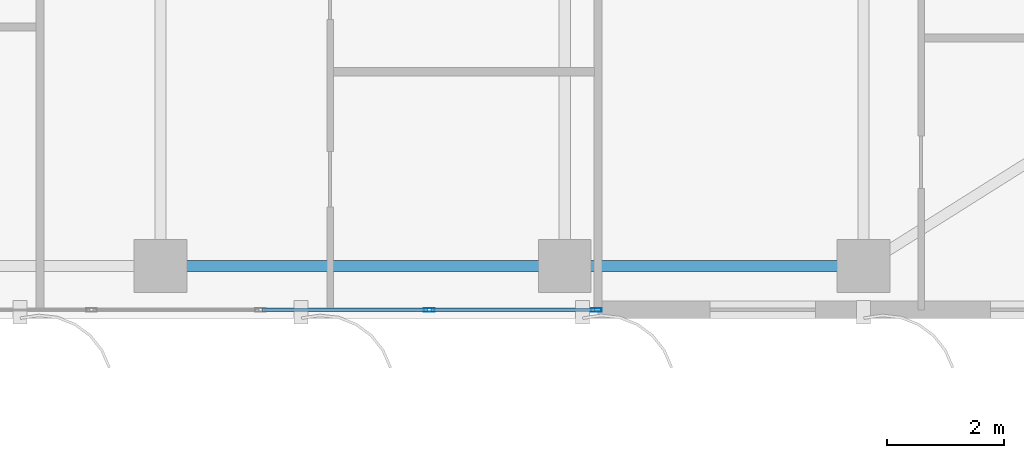
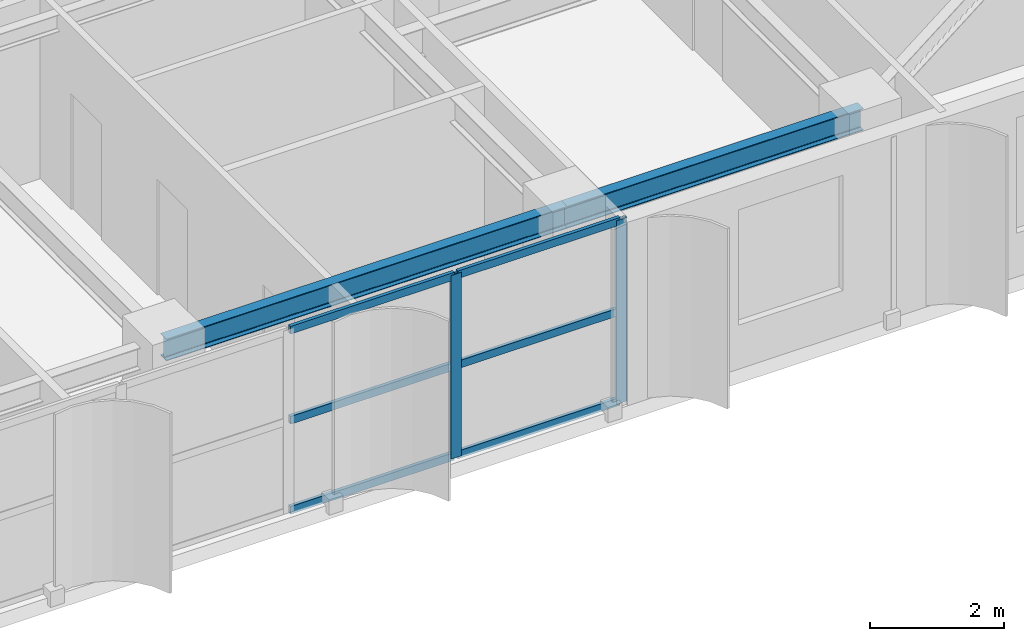
# One storey, part 5 of 25: 8 members, 2 beams, 1 element without a shape of its own.
"""IFC4 building model written with IfcOpenShell, lengths in metres."""

from ifc_helpers import new_model, si_unit, direction, frame, origin, origin_2d, place, context, subcontext, project, spatial, hollow_rectangle, i_section, extrude, source, transform, mapped, material, layer, layer_set, material_profile, profile_set, type_object, element, aggregate, save


model = new_model("IFC4")

# Units and contexts
model_context = context("Model", 3, precision=1e-05, world=origin(), true_north=direction((0.0, 1.0)))
body_context = subcontext(model_context, "Body", "Model", "MODEL_VIEW")
ifc_project = project(units=[si_unit("LENGTHUNIT", "METRE"), si_unit("AREAUNIT", "SQUARE_METRE"), si_unit("VOLUMEUNIT", "CUBIC_METRE"), si_unit("PLANEANGLEUNIT", "RADIAN"), si_unit("MASSUNIT", "GRAM", prefix="KILO")], contexts=[model_context])

# Site, building, storey
site_placement = place(None, origin())
site = spatial("IfcSite", under=ifc_project, at=site_placement, CompositionType="ELEMENT")
building_placement = place(site_placement, origin())
building = spatial("IfcBuilding", under=site, at=building_placement, Name="Khoralis Quay Care Tower", CompositionType="ELEMENT")
storey_placement = place(building_placement, frame((0.0, 0.0, 166.5)))
storey = spatial("IfcBuildingStorey", under=building, at=storey_placement, Name="L43", CompositionType="ELEMENT", Elevation=166.5)

# Beams
ifc_material_1 = material(Name="Steel S355", Category="steel")
ifc_material_profile_1 = material_profile(ifc_material_1, i_section(OverallWidth=0.179931640625, OverallDepth=0.39990234375, WebThickness=0.008544921875, FlangeThickness=0.013427734375, FilletRadius=0.02099609375, at=origin_2d()), Name="Steel S355")
ifc_profile_set_1 = profile_set([ifc_material_profile_1], Name="Steel S355")
beam_type = type_object("IfcBeamType", Name="BM-IPE400", PredefinedType="SPANDREL", material=ifc_profile_set_1)
shared_shape_1 = source(origin(), body_context, "Body", "SweptSolid", [
    extrude(i_section(OverallWidth=0.179931640625, OverallDepth=0.39990234375, WebThickness=0.008544921875, FlangeThickness=0.013427734375, FilletRadius=0.02099609375, at=origin_2d()), origin(), (0.0, 0.0, 1.0), 5.10009765625),
])
beam_1_placement = place(storey_placement, frame((30.89990234375, 0.89990234375, 3.139892578125), z_axis=(1.0, 0.0, 0.0), x_axis=(0.0, 1.0, 0.0)))
element("IfcBeam", 1, at=beam_1_placement, inside=storey, type_object=beam_type, Name="BM-TSP-L43-04", PredefinedType="SPANDREL", context=body_context, shape_type="MappedRepresentation", body=[
    mapped(shared_shape_1, transform((0.0, 0.0, 0.0), scale=1.0)),
])
shared_shape_2 = source(origin(), body_context, "Body", "SweptSolid", [
    extrude(i_section(OverallWidth=0.179931640625, OverallDepth=0.39990234375, WebThickness=0.008544921875, FlangeThickness=0.013427734375, FilletRadius=0.02099609375, at=origin_2d()), origin(), (0.0, 0.0, 1.0), 6.89990234375),
])
beam_2_placement = place(storey_placement, frame((24.0, 0.89990234375, 3.139892578125), z_axis=(1.0, 0.0, 0.0), x_axis=(0.0, 1.0, 0.0)))
element("IfcBeam", 2, at=beam_2_placement, inside=storey, type_object=beam_type, Name="BM-TSP-L43-03", PredefinedType="SPANDREL", context=body_context, shape_type="MappedRepresentation", body=[
    mapped(shared_shape_2, transform((0.0, 0.0, 0.0), scale=1.0)),
])

# Curtain wall, members
ifc_material_2 = material(Name="Pale anodised aluminium", Category="aluminium")
ifc_layer = layer(ifc_material_2, 0.159912109375)
ifc_layer_set = layer_set([ifc_layer], Name="Pale anodised aluminium")
curtain_wall_type = type_object("IfcCurtainWallType", Name="CW-SYS-Z3", PredefinedType="NOTDEFINED", material=ifc_layer_set)
curtain_wall_placement = place(storey_placement, origin())
curtain_wall = element("IfcCurtainWall", 3, at=curtain_wall_placement, inside=storey, type_object=curtain_wall_type, Name="L43 Unitised Curtain Wall CW-L43-P1-E0", PredefinedType="NOTDEFINED")
ifc_material_profile_2 = material_profile(ifc_material_2, hollow_rectangle(XDim=0.06494140625, YDim=0.179931640625, WallThickness=0.00390625, at=origin_2d()), Name="Pale anodised aluminium")
ifc_profile_set_2 = profile_set([ifc_material_profile_2], Name="Pale anodised aluminium")
member_type_1 = type_object("IfcMemberType", Name="CW-MUL-180", PredefinedType="MULLION", material=ifc_profile_set_2)
shared_shape_3 = source(origin(), body_context, "Body", "SweptSolid", [
    extrude(hollow_rectangle(XDim=0.06494140625, YDim=0.179931640625, WallThickness=0.00390625, at=origin_2d()), origin(), (0.0, 0.0, 1.0), 3.340087890625),
])
member_1_placement = place(storey_placement, frame((28.58740234375, 0.14990234375, 0.0), z_axis=(0.0, 0.0, 1.0), x_axis=(0.0, 1.0, 0.0)))
member_1 = element("IfcMember", 4, at=member_1_placement, type_object=member_type_1, Name="CW3 mullion 5", PredefinedType="MULLION", context=body_context, shape_type="MappedRepresentation", body=[
    mapped(shared_shape_3, transform((0.0, 0.0, 0.0), scale=1.0)),
])
member_2_placement = place(storey_placement, frame((31.43994140625, 0.14990234375, 0.0), z_axis=(0.0, 0.0, 1.0), x_axis=(0.0, 1.0, 0.0)))
member_2 = element("IfcMember", 5, at=member_2_placement, type_object=member_type_1, Name="CW3 mullion 6", PredefinedType="MULLION", context=body_context, shape_type="MappedRepresentation", body=[
    mapped(shared_shape_3, transform((0.0, 0.0, 0.0), scale=1.0)),
])
ifc_material_profile_3 = material_profile(ifc_material_2, hollow_rectangle(XDim=0.06005859375, YDim=0.139892578125, WallThickness=0.00390625, at=origin_2d()), Name="Pale anodised aluminium")
ifc_profile_set_3 = profile_set([ifc_material_profile_3], Name="Pale anodised aluminium")
member_type_2 = type_object("IfcMemberType", Name="CW-TRN-140", PredefinedType="USERDEFINED", material=ifc_profile_set_3)
shared_shape_4 = source(origin(), body_context, "Body", "SweptSolid", [
    extrude(hollow_rectangle(XDim=0.06005859375, YDim=0.139892578125, WallThickness=0.00390625, at=origin_2d()), origin(), (0.0, 0.0, 1.0), 2.822509765625),
])
member_3_placement = place(storey_placement, frame((25.73486328125, 0.14990234375, 0.030029296875), z_axis=(1.0, 0.0, 0.0), x_axis=(0.0, 1.0, 0.0)))
member_3 = element("IfcMember", 6, at=member_3_placement, type_object=member_type_2, Name="CW3 transom 4.1", ObjectType="TRANSOM", PredefinedType="USERDEFINED", context=body_context, shape_type="MappedRepresentation", body=[
    mapped(shared_shape_4, transform((0.0, 0.0, 0.0), scale=1.0)),
])
member_4_placement = place(storey_placement, frame((25.73486328125, 0.14990234375, 1.669921875), z_axis=(1.0, 0.0, 0.0), x_axis=(0.0, 1.0, 0.0)))
member_4 = element("IfcMember", 7, at=member_4_placement, type_object=member_type_2, Name="CW3 transom 4.2", ObjectType="TRANSOM", PredefinedType="USERDEFINED", context=body_context, shape_type="MappedRepresentation", body=[
    mapped(shared_shape_4, transform((0.0, 0.0, 0.0), scale=1.0)),
])
member_5_placement = place(storey_placement, frame((25.73486328125, 0.14990234375, 3.31005859375), z_axis=(1.0, 0.0, 0.0), x_axis=(0.0, 1.0, 0.0)))
member_5 = element("IfcMember", 8, at=member_5_placement, type_object=member_type_2, Name="CW3 transom 4.3", ObjectType="TRANSOM", PredefinedType="USERDEFINED", context=body_context, shape_type="MappedRepresentation", body=[
    mapped(shared_shape_4, transform((0.0, 0.0, 0.0), scale=1.0)),
])
shared_shape_5 = source(origin(), body_context, "Body", "SweptSolid", [
    extrude(hollow_rectangle(XDim=0.06005859375, YDim=0.139892578125, WallThickness=0.00390625, at=origin_2d()), origin(), (0.0, 0.0, 1.0), 2.79248046875),
])
member_6_placement = place(storey_placement, frame((28.617431640625, 0.14990234375, 0.030029296875), z_axis=(1.0, 0.0, 0.0), x_axis=(0.0, 1.0, 0.0)))
member_6 = element("IfcMember", 9, at=member_6_placement, type_object=member_type_2, Name="CW3 transom 5.1", ObjectType="TRANSOM", PredefinedType="USERDEFINED", context=body_context, shape_type="MappedRepresentation", body=[
    mapped(shared_shape_5, transform((0.0, 0.0, 0.0), scale=1.0)),
])
member_7_placement = place(storey_placement, frame((28.617431640625, 0.14990234375, 1.669921875), z_axis=(1.0, 0.0, 0.0), x_axis=(0.0, 1.0, 0.0)))
member_7 = element("IfcMember", 10, at=member_7_placement, type_object=member_type_2, Name="CW3 transom 5.2", ObjectType="TRANSOM", PredefinedType="USERDEFINED", context=body_context, shape_type="MappedRepresentation", body=[
    mapped(shared_shape_5, transform((0.0, 0.0, 0.0), scale=1.0)),
])
member_8_placement = place(storey_placement, frame((28.617431640625, 0.14990234375, 3.31005859375), z_axis=(1.0, 0.0, 0.0), x_axis=(0.0, 1.0, 0.0)))
member_8 = element("IfcMember", 11, at=member_8_placement, type_object=member_type_2, Name="CW3 transom 5.3", ObjectType="TRANSOM", PredefinedType="USERDEFINED", context=body_context, shape_type="MappedRepresentation", body=[
    mapped(shared_shape_5, transform((0.0, 0.0, 0.0), scale=1.0)),
])
aggregate(curtain_wall, [member_1, member_2, member_3, member_4, member_5, member_6, member_7, member_8])

save(model, "model.ifc")
